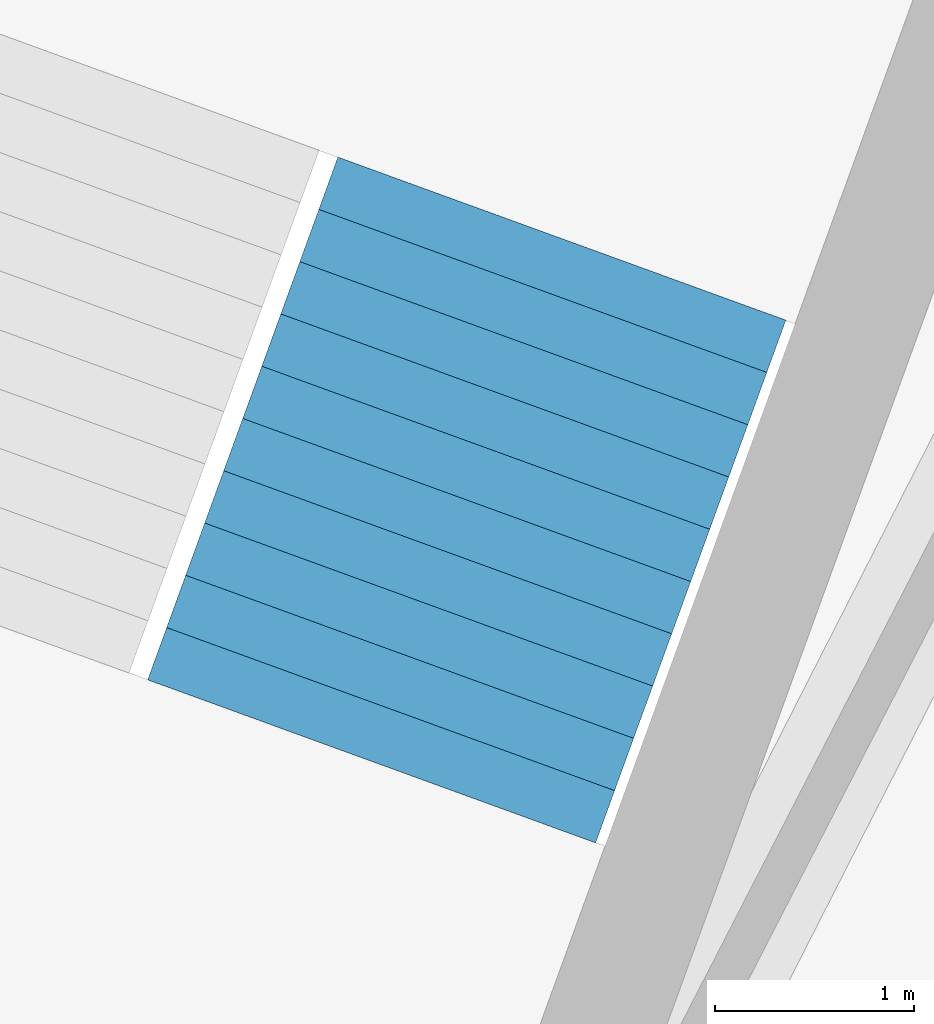
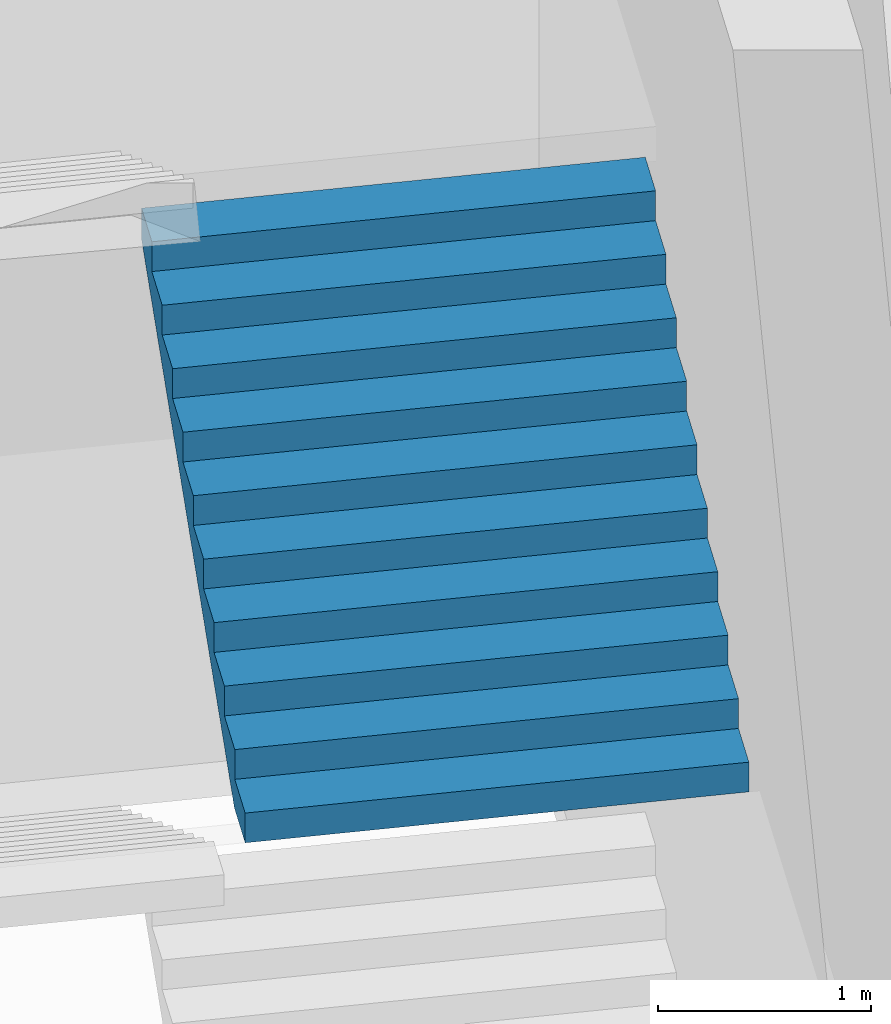
# One storey, part 46 of 73: 1 stair flight, 1 element without a shape of its own.
"""IFC4 building model written with IfcOpenShell, lengths in metres."""

from ifc_helpers import new_model, si_unit, direction, frame, origin, place, context, subcontext, project, spatial, triangles, material, type_object, element, aggregate, save


model = new_model("IFC4")

# Units and contexts
model_context = context("Model", 3, precision=1e-05, world=origin(), true_north=direction((0.0, 1.0)))
body_context = subcontext(model_context, "Body", "Model", "MODEL_VIEW")
ifc_project = project(units=[si_unit("LENGTHUNIT", "METRE"), si_unit("AREAUNIT", "SQUARE_METRE"), si_unit("VOLUMEUNIT", "CUBIC_METRE"), si_unit("PLANEANGLEUNIT", "RADIAN"), si_unit("MASSUNIT", "GRAM", prefix="KILO")], contexts=[model_context])

# Site, building, storey
site_placement = place(None, origin())
site = spatial("IfcSite", under=ifc_project, at=site_placement, CompositionType="ELEMENT")
building_placement = place(site_placement, origin())
building = spatial("IfcBuilding", under=site, at=building_placement, Name="Lantaw Convention Tower", CompositionType="ELEMENT")
storey_placement = place(building_placement, frame((0.0, 0.0, 14.5)))
storey = spatial("IfcBuildingStorey", under=building, at=storey_placement, Name="L02", CompositionType="ELEMENT", Elevation=14.5)

# Stair, stair flight
ifc_material = material(Name="Concrete C35/45", Category="concrete")
stair_type = type_object("IfcStairType", Name="Exit stair 2400 riser 170.45 in 4 flights", PredefinedType="HALF_TURN_STAIR", material=ifc_material)
stair_placement = place(storey_placement, origin())
stair = element("IfcStair", 1, at=stair_placement, inside=storey, type_object=stair_type, Name="Podium exit stair P5 L02", PredefinedType="HALF_TURN_STAIR")
stair_flight_type = type_object("IfcStairFlightType", Name="Stair flight 2400 riser 170.45", PredefinedType="STRAIGHT", material=ifc_material)
stair_flight_placement = place(storey_placement, frame((10.476318359375, 25.128662109375, 3.75), z_axis=(0.0, 0.0, 1.0), x_axis=(0.342020143326, 0.939692620786, 0.0)))
stair_flight = element("IfcStairFlight", 2, at=stair_flight_placement, type_object=stair_flight_type, Name="P5 flight 3", NumberOfRisers=11, NumberOfTreads=10, PredefinedType="STRAIGHT", RiserHeight=0.170454545, TreadLength=0.28, context=body_context, shape_type="Tessellation", body=[
    triangles([(0.0, 1.199951171875, 0.0), (0.0, 1.199951171875, 0.170454545), (0.28, 1.199951171875, 0.0), (0.28, 1.199951171875, 0.170454545), (0.28, 1.199951171875, 0.34090909), (0.28827876332691904, 1.199951171875, 0.0), (0.28827876332691904, 1.199951171875, 0.34090909), (0.56, 1.199951171875, 0.16541471344266906), (0.56, 1.199951171875, 0.34090909), (0.56, 1.199951171875, 0.511363635), (0.8400000000000001, 1.199951171875, 0.335869258442669), (0.8400000000000001, 1.199951171875, 0.511363635), (0.8400000000000001, 1.199951171875, 0.68181818), (1.12, 1.199951171875, 0.506323803442669), (1.12, 1.199951171875, 0.68181818), (1.12, 1.199951171875, 0.8522727250000001), (1.4000000000000001, 1.199951171875, 0.676778348442669), (1.4000000000000001, 1.199951171875, 0.8522727250000001), (1.4000000000000001, 1.199951171875, 1.02272727), (1.6800000000000002, 1.199951171875, 0.847232893442669), (1.6800000000000002, 1.199951171875, 1.02272727), (1.6800000000000002, 1.199951171875, 1.193181815), (1.9600000000000002, 1.199951171875, 1.017687438442669), (1.9600000000000002, 1.199951171875, 1.193181815), (1.9600000000000002, 1.199951171875, 1.36363636), (2.24, 1.199951171875, 1.188141983442669), (2.24, 1.199951171875, 1.36363636), (2.24, 1.199951171875, 1.5340909050000002), (2.5200000000000005, 1.199951171875, 1.358596528442669), (2.5200000000000005, 1.199951171875, 1.5340909050000002), (2.5200000000000005, 1.199951171875, 1.7045454500000001), (2.8000000000000003, 1.199951171875, 1.529051073442669), (2.8000000000000003, 1.199951171875, 1.7045454500000001), (0.0, -1.199951171875, 0.0), (0.0, -1.199951171875, 0.170454545), (0.28, -1.199951171875, 0.0), (0.28, -1.199951171875, 0.170454545), (0.28, -1.199951171875, 0.34090909), (0.28827876332691904, -1.199951171875, 0.0), (0.28827876332691904, -1.199951171875, 0.34090909), (0.56, -1.199951171875, 0.16541471344266906), (0.56, -1.199951171875, 0.34090909), (0.56, -1.199951171875, 0.511363635), (0.8400000000000001, -1.199951171875, 0.335869258442669), (0.8400000000000001, -1.199951171875, 0.511363635), (0.8400000000000001, -1.199951171875, 0.68181818), (1.12, -1.199951171875, 0.506323803442669), (1.12, -1.199951171875, 0.68181818), (1.12, -1.199951171875, 0.8522727250000001), (1.4000000000000001, -1.199951171875, 0.676778348442669), (1.4000000000000001, -1.199951171875, 0.8522727250000001), (1.4000000000000001, -1.199951171875, 1.02272727), (1.6800000000000002, -1.199951171875, 0.847232893442669), (1.6800000000000002, -1.199951171875, 1.02272727), (1.6800000000000002, -1.199951171875, 1.193181815), (1.9600000000000002, -1.199951171875, 1.017687438442669), (1.9600000000000002, -1.199951171875, 1.193181815), (1.9600000000000002, -1.199951171875, 1.36363636), (2.24, -1.199951171875, 1.188141983442669), (2.24, -1.199951171875, 1.36363636), (2.24, -1.199951171875, 1.5340909050000002), (2.5200000000000005, -1.199951171875, 1.358596528442669), (2.5200000000000005, -1.199951171875, 1.5340909050000002), (2.5200000000000005, -1.199951171875, 1.7045454500000001), (2.8000000000000003, -1.199951171875, 1.529051073442669), (2.8000000000000003, -1.199951171875, 1.7045454500000001), (0.0, 0.239990234375, 0.170454545), (0.0, 0.239990234375, 0.0), (0.0, 0.1199951171875, 0.170454545), (0.0, 0.1199951171875, 0.0), (0.0, 0.0, 0.170454545), (0.0, 0.0, 0.0), (0.0, -0.1199951171875, 0.170454545), (0.0, -0.1199951171875, 0.0), (0.0, -0.239990234375, 0.170454545), (0.0, -0.239990234375, 0.0), (0.28, 0.239990234375, 0.34090909), (0.28, 0.239990234375, 0.170454545), (0.28, 0.1199951171875, 0.34090909), (0.28, 0.1199951171875, 0.170454545), (0.28, 0.0, 0.34090909), (0.28, 0.0, 0.170454545), (0.28, -0.1199951171875, 0.34090909), (0.28, -0.1199951171875, 0.170454545), (0.28, -0.239990234375, 0.34090909), (0.28, -0.239990234375, 0.170454545), (0.56, 0.239990234375, 0.511363635), (0.56, 0.239990234375, 0.34090909), (0.56, 0.1199951171875, 0.511363635), (0.56, 0.1199951171875, 0.34090909), (0.56, 0.0, 0.511363635), (0.56, 0.0, 0.34090909), (0.56, -0.1199951171875, 0.511363635), (0.56, -0.1199951171875, 0.34090909), (0.56, -0.239990234375, 0.511363635), (0.56, -0.239990234375, 0.34090909), (0.8400000000000001, 0.239990234375, 0.68181818), (0.8400000000000001, 0.239990234375, 0.511363635), (0.8400000000000001, 0.1199951171875, 0.68181818), (0.8400000000000001, 0.1199951171875, 0.511363635), (0.8400000000000001, 0.0, 0.68181818), (0.8400000000000001, 0.0, 0.511363635), (0.8400000000000001, -0.1199951171875, 0.68181818), (0.8400000000000001, -0.1199951171875, 0.511363635), (0.8400000000000001, -0.239990234375, 0.68181818), (0.8400000000000001, -0.239990234375, 0.511363635), (1.12, 0.239990234375, 0.8522727250000001), (1.12, 0.239990234375, 0.68181818), (1.12, 0.1199951171875, 0.8522727250000001), (1.12, 0.1199951171875, 0.68181818), (1.12, 0.0, 0.8522727250000001), (1.12, 0.0, 0.68181818), (1.12, -0.1199951171875, 0.8522727250000001), (1.12, -0.1199951171875, 0.68181818), (1.12, -0.239990234375, 0.8522727250000001), (1.12, -0.239990234375, 0.68181818), (1.4000000000000001, 0.239990234375, 1.02272727), (1.4000000000000001, 0.239990234375, 0.8522727250000001), (1.4000000000000001, 0.1199951171875, 1.02272727), (1.4000000000000001, 0.1199951171875, 0.8522727250000001), (1.4000000000000001, 0.0, 1.02272727), (1.4000000000000001, 0.0, 0.8522727250000001), (1.4000000000000001, -0.1199951171875, 1.02272727), (1.4000000000000001, -0.1199951171875, 0.8522727250000001), (1.4000000000000001, -0.239990234375, 1.02272727), (1.4000000000000001, -0.239990234375, 0.8522727250000001), (1.6800000000000002, 0.239990234375, 1.193181815), (1.6800000000000002, 0.239990234375, 1.02272727), (1.6800000000000002, 0.1199951171875, 1.193181815), (1.6800000000000002, 0.1199951171875, 1.02272727), (1.6800000000000002, 0.0, 1.193181815), (1.6800000000000002, 0.0, 1.02272727), (1.6800000000000002, -0.1199951171875, 1.193181815), (1.6800000000000002, -0.1199951171875, 1.02272727), (1.6800000000000002, -0.239990234375, 1.193181815), (1.6800000000000002, -0.239990234375, 1.02272727), (1.9600000000000002, 0.239990234375, 1.36363636), (1.9600000000000002, 0.239990234375, 1.193181815), (1.9600000000000002, 0.1199951171875, 1.36363636), (1.9600000000000002, 0.1199951171875, 1.193181815), (1.9600000000000002, 0.0, 1.36363636), (1.9600000000000002, 0.0, 1.193181815), (1.9600000000000002, -0.1199951171875, 1.36363636), (1.9600000000000002, -0.1199951171875, 1.193181815), (1.9600000000000002, -0.239990234375, 1.36363636), (1.9600000000000002, -0.239990234375, 1.193181815), (2.24, 0.239990234375, 1.5340909050000002), (2.24, 0.239990234375, 1.36363636), (2.24, 0.1199951171875, 1.5340909050000002), (2.24, 0.1199951171875, 1.36363636), (2.24, 0.0, 1.5340909050000002), (2.24, 0.0, 1.36363636), (2.24, -0.1199951171875, 1.5340909050000002), (2.24, -0.1199951171875, 1.36363636), (2.24, -0.239990234375, 1.5340909050000002), (2.24, -0.239990234375, 1.36363636), (2.5200000000000005, 0.239990234375, 1.7045454500000001), (2.5200000000000005, 0.239990234375, 1.5340909050000002), (2.5200000000000005, 0.1199951171875, 1.7045454500000001), (2.5200000000000005, 0.1199951171875, 1.5340909050000002), (2.5200000000000005, 0.0, 1.7045454500000001), (2.5200000000000005, 0.0, 1.5340909050000002), (2.5200000000000005, -0.1199951171875, 1.7045454500000001), (2.5200000000000005, -0.1199951171875, 1.5340909050000002), (2.5200000000000005, -0.239990234375, 1.7045454500000001), (2.5200000000000005, -0.239990234375, 1.5340909050000002), (0.28827876332691904, 0.239990234375, 0.34090909), (0.28827876332691904, 0.1199951171875, 0.34090909), (0.28827876332691904, 0.0, 0.34090909), (0.28827876332691904, -0.1199951171875, 0.34090909), (0.28827876332691904, -0.239990234375, 0.34090909), (2.8000000000000003, 0.239990234375, 1.7045454500000001), (2.8000000000000003, 0.1199951171875, 1.7045454500000001), (2.8000000000000003, 0.0, 1.7045454500000001), (2.8000000000000003, -0.1199951171875, 1.7045454500000001), (2.8000000000000003, -0.239990234375, 1.7045454500000001), (2.8000000000000003, 0.239990234375, 1.5290510734426692), (2.8000000000000003, 0.1199951171875, 1.5290510734426692), (2.8000000000000003, 0.0, 1.5290510734426692), (2.8000000000000003, -0.1199951171875, 1.5290510734426692), (2.8000000000000003, -0.239990234375, 1.5290510734426692), (2.5200000000000005, 0.239990234375, 1.358596528442669), (2.5200000000000005, 0.1199951171875, 1.358596528442669), (2.5200000000000005, 0.0, 1.358596528442669), (2.5200000000000005, -0.1199951171875, 1.358596528442669), (2.5200000000000005, -0.239990234375, 1.358596528442669), (2.24, 0.239990234375, 1.188141983442669), (2.24, 0.1199951171875, 1.188141983442669), (2.24, 0.0, 1.188141983442669), (2.24, -0.1199951171875, 1.188141983442669), (2.24, -0.239990234375, 1.188141983442669), (1.9600000000000002, 0.239990234375, 1.017687438442669), (1.9600000000000002, 0.1199951171875, 1.017687438442669), (1.9600000000000002, 0.0, 1.017687438442669), (1.9600000000000002, -0.1199951171875, 1.017687438442669), (1.9600000000000002, -0.239990234375, 1.017687438442669), (1.6800000000000002, 0.239990234375, 0.847232893442669), (1.6800000000000002, 0.1199951171875, 0.847232893442669), (1.6800000000000002, 0.0, 0.847232893442669), (1.6800000000000002, -0.1199951171875, 0.847232893442669), (1.6800000000000002, -0.239990234375, 0.847232893442669), (1.4000000000000001, 0.239990234375, 0.676778348442669), (1.4000000000000001, 0.1199951171875, 0.676778348442669), (1.4000000000000001, 0.0, 0.676778348442669), (1.4000000000000001, -0.1199951171875, 0.676778348442669), (1.4000000000000001, -0.239990234375, 0.676778348442669), (1.12, 0.239990234375, 0.506323803442669), (1.12, 0.1199951171875, 0.506323803442669), (1.12, 0.0, 0.506323803442669), (1.12, -0.1199951171875, 0.506323803442669), (1.12, -0.239990234375, 0.506323803442669), (0.8400000000000001, 0.239990234375, 0.335869258442669), (0.8400000000000001, 0.1199951171875, 0.335869258442669), (0.8400000000000001, 0.0, 0.335869258442669), (0.8400000000000001, -0.1199951171875, 0.335869258442669), (0.8400000000000001, -0.239990234375, 0.335869258442669), (0.56, 0.239990234375, 0.16541471344266906), (0.56, 0.1199951171875, 0.16541471344266906), (0.56, 0.0, 0.16541471344266906), (0.56, -0.1199951171875, 0.16541471344266906), (0.56, -0.239990234375, 0.16541471344266906), (0.28827876332691904, 0.239990234375, 0.0), (0.28827876332691904, 0.1199951171875, 0.0), (0.28827876332691904, 0.0, 0.0), (0.28827876332691904, -0.1199951171875, 0.0), (0.28827876332691904, -0.239990234375, 0.0), (0.28, 0.239990234375, 0.0), (0.28, 0.1199951171875, 0.0), (0.28, 0.0, 0.0), (0.28, -0.1199951171875, 0.0), (0.28, -0.239990234375, 0.0)], [[1, 4, 3], [1, 2, 4], [3, 4, 6], [4, 7, 6], [4, 5, 7], [6, 9, 8], [6, 7, 9], [8, 9, 11], [9, 12, 11], [9, 10, 12], [11, 12, 14], [12, 15, 14], [12, 13, 15], [14, 15, 17], [15, 18, 17], [15, 16, 18], [17, 18, 20], [18, 21, 20], [18, 19, 21], [20, 21, 23], [21, 24, 23], [21, 22, 24], [23, 24, 26], [24, 27, 26], [24, 25, 27], [26, 27, 29], [27, 30, 29], [27, 28, 30], [29, 30, 32], [30, 33, 32], [30, 31, 33], [34, 36, 37], [34, 37, 35], [36, 39, 37], [37, 39, 40], [37, 40, 38], [39, 41, 42], [39, 42, 40], [41, 44, 42], [42, 44, 45], [42, 45, 43], [44, 47, 45], [45, 47, 48], [45, 48, 46], [47, 50, 48], [48, 50, 51], [48, 51, 49], [50, 53, 51], [51, 53, 54], [51, 54, 52], [53, 56, 54], [54, 56, 57], [54, 57, 55], [56, 59, 57], [57, 59, 60], [57, 60, 58], [59, 62, 60], [60, 62, 63], [60, 63, 61], [62, 65, 63], [63, 65, 66], [63, 66, 64], [1, 67, 2], [1, 68, 67], [68, 69, 67], [68, 70, 69], [70, 71, 69], [70, 72, 71], [72, 73, 71], [72, 74, 73], [74, 75, 73], [74, 76, 75], [76, 35, 75], [76, 34, 35], [4, 77, 5], [4, 78, 77], [78, 79, 77], [78, 80, 79], [80, 81, 79], [80, 82, 81], [82, 83, 81], [82, 84, 83], [84, 85, 83], [84, 86, 85], [86, 38, 85], [86, 37, 38], [9, 87, 10], [9, 88, 87], [88, 89, 87], [88, 90, 89], [90, 91, 89], [90, 92, 91], [92, 93, 91], [92, 94, 93], [94, 95, 93], [94, 96, 95], [96, 43, 95], [96, 42, 43], [12, 97, 13], [12, 98, 97], [98, 99, 97], [98, 100, 99], [100, 101, 99], [100, 102, 101], [102, 103, 101], [102, 104, 103], [104, 105, 103], [104, 106, 105], [106, 46, 105], [106, 45, 46], [15, 107, 16], [15, 108, 107], [108, 109, 107], [108, 110, 109], [110, 111, 109], [110, 112, 111], [112, 113, 111], [112, 114, 113], [114, 115, 113], [114, 116, 115], [116, 49, 115], [116, 48, 49], [18, 117, 19], [18, 118, 117], [118, 119, 117], [118, 120, 119], [120, 121, 119], [120, 122, 121], [122, 123, 121], [122, 124, 123], [124, 125, 123], [124, 126, 125], [126, 52, 125], [126, 51, 52], [21, 127, 22], [21, 128, 127], [128, 129, 127], [128, 130, 129], [130, 131, 129], [130, 132, 131], [132, 133, 131], [132, 134, 133], [134, 135, 133], [134, 136, 135], [136, 55, 135], [136, 54, 55], [24, 137, 25], [24, 138, 137], [138, 139, 137], [138, 140, 139], [140, 141, 139], [140, 142, 141], [142, 143, 141], [142, 144, 143], [144, 145, 143], [144, 146, 145], [146, 58, 145], [146, 57, 58], [27, 147, 28], [27, 148, 147], [148, 149, 147], [148, 150, 149], [150, 151, 149], [150, 152, 151], [152, 153, 151], [152, 154, 153], [154, 155, 153], [154, 156, 155], [156, 61, 155], [156, 60, 61], [30, 157, 31], [30, 158, 157], [158, 159, 157], [158, 160, 159], [160, 161, 159], [160, 162, 161], [162, 163, 161], [162, 164, 163], [164, 165, 163], [164, 166, 165], [166, 64, 165], [166, 63, 64], [2, 78, 4], [2, 67, 78], [67, 80, 78], [67, 69, 80], [69, 82, 80], [69, 71, 82], [71, 84, 82], [71, 73, 84], [73, 86, 84], [73, 75, 86], [75, 37, 86], [75, 35, 37], [5, 167, 7], [5, 77, 167], [77, 168, 167], [77, 79, 168], [79, 169, 168], [79, 81, 169], [81, 170, 169], [81, 83, 170], [83, 171, 170], [83, 85, 171], [85, 40, 171], [85, 38, 40], [7, 88, 9], [7, 167, 88], [167, 90, 88], [167, 168, 90], [168, 92, 90], [168, 169, 92], [169, 94, 92], [169, 170, 94], [170, 96, 94], [170, 171, 96], [171, 42, 96], [171, 40, 42], [10, 98, 12], [10, 87, 98], [87, 100, 98], [87, 89, 100], [89, 102, 100], [89, 91, 102], [91, 104, 102], [91, 93, 104], [93, 106, 104], [93, 95, 106], [95, 45, 106], [95, 43, 45], [13, 108, 15], [13, 97, 108], [97, 110, 108], [97, 99, 110], [99, 112, 110], [99, 101, 112], [101, 114, 112], [101, 103, 114], [103, 116, 114], [103, 105, 116], [105, 48, 116], [105, 46, 48], [16, 118, 18], [16, 107, 118], [107, 120, 118], [107, 109, 120], [109, 122, 120], [109, 111, 122], [111, 124, 122], [111, 113, 124], [113, 126, 124], [113, 115, 126], [115, 51, 126], [115, 49, 51], [19, 128, 21], [19, 117, 128], [117, 130, 128], [117, 119, 130], [119, 132, 130], [119, 121, 132], [121, 134, 132], [121, 123, 134], [123, 136, 134], [123, 125, 136], [125, 54, 136], [125, 52, 54], [22, 138, 24], [22, 127, 138], [127, 140, 138], [127, 129, 140], [129, 142, 140], [129, 131, 142], [131, 144, 142], [131, 133, 144], [133, 146, 144], [133, 135, 146], [135, 57, 146], [135, 55, 57], [25, 148, 27], [25, 137, 148], [137, 150, 148], [137, 139, 150], [139, 152, 150], [139, 141, 152], [141, 154, 152], [141, 143, 154], [143, 156, 154], [143, 145, 156], [145, 60, 156], [145, 58, 60], [28, 158, 30], [28, 147, 158], [147, 160, 158], [147, 149, 160], [149, 162, 160], [149, 151, 162], [151, 164, 162], [151, 153, 164], [153, 166, 164], [153, 155, 166], [155, 63, 166], [155, 61, 63], [31, 172, 33], [31, 157, 172], [157, 173, 172], [157, 159, 173], [159, 174, 173], [159, 161, 174], [161, 175, 174], [161, 163, 175], [163, 176, 175], [163, 165, 176], [165, 66, 176], [165, 64, 66], [33, 177, 32], [33, 172, 177], [172, 178, 177], [172, 173, 178], [173, 179, 178], [173, 174, 179], [174, 180, 179], [174, 175, 180], [175, 181, 180], [175, 176, 181], [176, 65, 181], [176, 66, 65], [32, 182, 29], [32, 177, 182], [177, 183, 182], [177, 178, 183], [178, 184, 183], [178, 179, 184], [179, 185, 184], [179, 180, 185], [180, 186, 185], [180, 181, 186], [181, 62, 186], [181, 65, 62], [29, 187, 26], [29, 182, 187], [182, 188, 187], [182, 183, 188], [183, 189, 188], [183, 184, 189], [184, 190, 189], [184, 185, 190], [185, 191, 190], [185, 186, 191], [186, 59, 191], [186, 62, 59], [26, 192, 23], [26, 187, 192], [187, 193, 192], [187, 188, 193], [188, 194, 193], [188, 189, 194], [189, 195, 194], [189, 190, 195], [190, 196, 195], [190, 191, 196], [191, 56, 196], [191, 59, 56], [23, 197, 20], [23, 192, 197], [192, 198, 197], [192, 193, 198], [193, 199, 198], [193, 194, 199], [194, 200, 199], [194, 195, 200], [195, 201, 200], [195, 196, 201], [196, 53, 201], [196, 56, 53], [20, 202, 17], [20, 197, 202], [197, 203, 202], [197, 198, 203], [198, 204, 203], [198, 199, 204], [199, 205, 204], [199, 200, 205], [200, 206, 205], [200, 201, 206], [201, 50, 206], [201, 53, 50], [17, 207, 14], [17, 202, 207], [202, 208, 207], [202, 203, 208], [203, 209, 208], [203, 204, 209], [204, 210, 209], [204, 205, 210], [205, 211, 210], [205, 206, 211], [206, 47, 211], [206, 50, 47], [14, 212, 11], [14, 207, 212], [207, 213, 212], [207, 208, 213], [208, 214, 213], [208, 209, 214], [209, 215, 214], [209, 210, 215], [210, 216, 215], [210, 211, 216], [211, 44, 216], [211, 47, 44], [11, 217, 8], [11, 212, 217], [212, 218, 217], [212, 213, 218], [213, 219, 218], [213, 214, 219], [214, 220, 219], [214, 215, 220], [215, 221, 220], [215, 216, 221], [216, 41, 221], [216, 44, 41], [8, 222, 6], [8, 217, 222], [217, 223, 222], [217, 218, 223], [218, 224, 223], [218, 219, 224], [219, 225, 224], [219, 220, 225], [220, 226, 225], [220, 221, 226], [221, 39, 226], [221, 41, 39], [6, 227, 3], [6, 222, 227], [222, 228, 227], [222, 223, 228], [223, 229, 228], [223, 224, 229], [224, 230, 229], [224, 225, 230], [225, 231, 230], [225, 226, 231], [226, 36, 231], [226, 39, 36], [3, 68, 1], [3, 227, 68], [227, 70, 68], [227, 228, 70], [228, 72, 70], [228, 229, 72], [229, 74, 72], [229, 230, 74], [230, 76, 74], [230, 231, 76], [231, 34, 76], [231, 36, 34]], closed=True),
])
aggregate(stair, [stair_flight])

save(model, "model.ifc")
